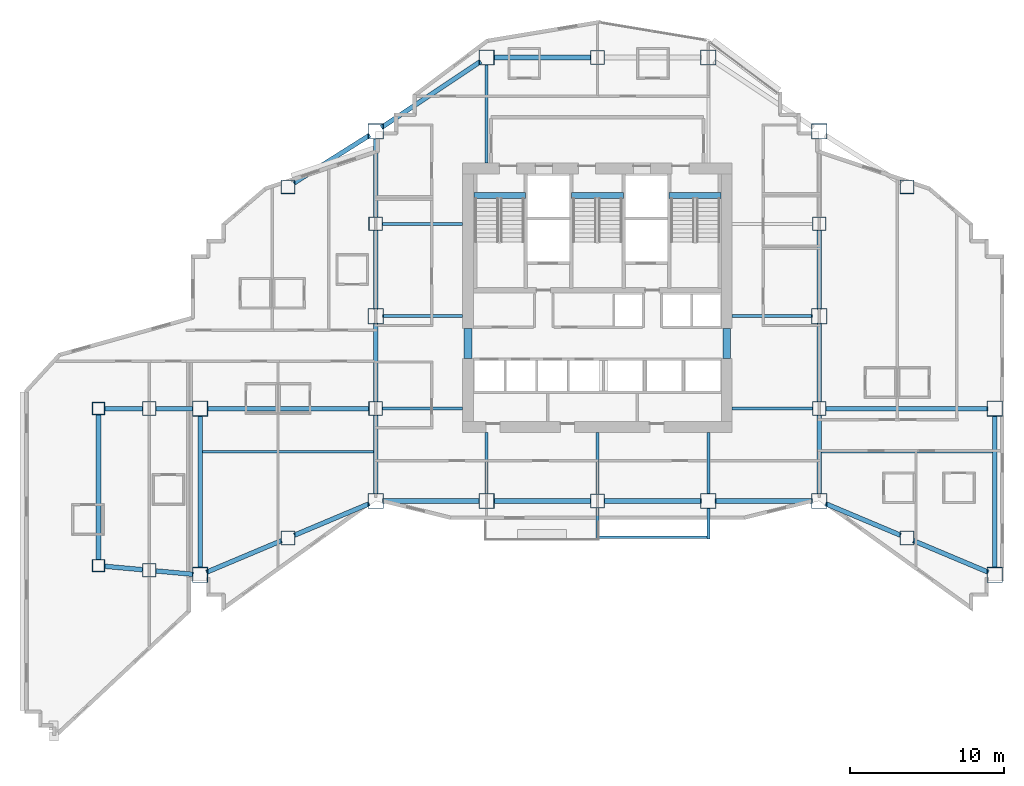
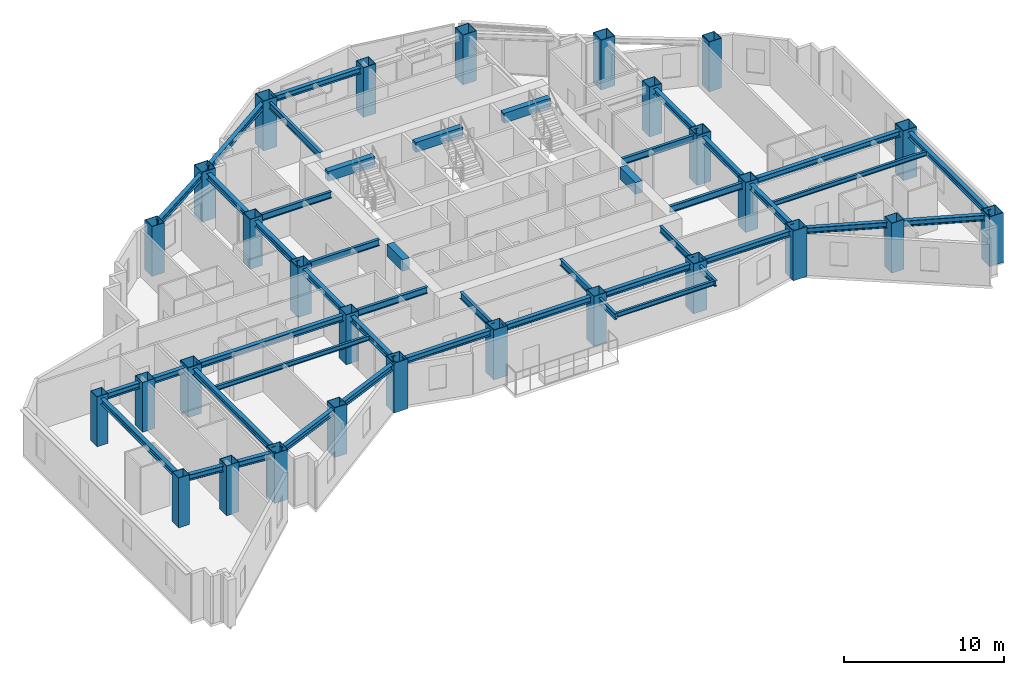
# One storey, part 1 of 14: 46 beams, 28 columns.
"""IFC4 building model written with IfcOpenShell, lengths in metres."""

from ifc_helpers import new_model, si_unit, direction, frame, origin, origin_2d, place, context, subcontext, project, spatial, rectangle, hollow_rectangle, i_section, extrude, material, material_profile, profile_set, type_object, element, save


model = new_model("IFC4")

# Units and contexts
model_context = context("Model", 3, precision=1e-05, world=origin(), true_north=direction((0.0, 1.0)))
body_context = subcontext(model_context, "Body", "Model", "MODEL_VIEW")
ifc_project = project(units=[si_unit("LENGTHUNIT", "METRE"), si_unit("AREAUNIT", "SQUARE_METRE"), si_unit("VOLUMEUNIT", "CUBIC_METRE"), si_unit("PLANEANGLEUNIT", "RADIAN"), si_unit("MASSUNIT", "GRAM", prefix="KILO")], contexts=[model_context])

# Site, building, storey
site_placement = place(None, origin())
site = spatial("IfcSite", under=ifc_project, at=site_placement, CompositionType="ELEMENT")
building_placement = place(site_placement, origin())
building = spatial("IfcBuilding", under=site, at=building_placement, Name="Haolan Belvedere Tower", CompositionType="ELEMENT")
storey_placement = place(building_placement, frame((0.0, 0.0, 148.60009765625)))
storey = spatial("IfcBuildingStorey", under=building, at=storey_placement, Name="L37", CompositionType="ELEMENT", Elevation=148.60009765625)

# Columns
ifc_material_1 = material(Name="Steel Q420GJC", Category="steel")
ifc_material_profile_1 = material_profile(ifc_material_1, hollow_rectangle(XDim=1.0, YDim=1.0, WallThickness=0.0380859375, at=origin_2d()), Name="Steel Q420GJC")
ifc_profile_set_1 = profile_set([ifc_material_profile_1], Name="Steel Q420GJC")
column_type_1 = type_object("IfcColumnType", Name="COL-BOX1000x1000x38", PredefinedType="COLUMN", material=ifc_profile_set_1)
for number, where, z_axis, x_axis, name in (
    (1, (24.0, 21.60009765625, 0.0), (0.0, 0.0, 1.0), (1.0, 0.0, 0.0), "L37 column MC-T3-SW (BOX1000x1000x38)"),
    (2, (24.0, 33.60009765625, 0.0), (0.0, 0.0, 1.0), (1.0, 0.0, 0.0), "L37 column MC-T3-MW (BOX1000x1000x38)"),
    (3, (24.0, 45.60009765625, 0.0), (0.0, 0.0, 1.0), (1.0, 0.0, 0.0), "L37 column MC-T3-NW (BOX1000x1000x38)"),
    (4, (52.800048828125, 21.60009765625, 0.0), (0.0, 0.0, 1.0), (1.0, 0.0, 0.0), "L37 column MC-T3-SE (BOX1000x1000x38)"),
    (5, (52.800048828125, 33.60009765625, 0.0), (0.0, 0.0, 1.0), (1.0, 0.0, 0.0), "L37 column MC-T3-ME (BOX1000x1000x38)"),
    (6, (52.800048828125, 45.60009765625, 0.0), (0.0, 0.0, 1.0), (1.0, 0.0, 0.0), "L37 column MC-T3-NE (BOX1000x1000x38)"),
    (7, (31.199951171875, 21.60009765625, 0.0), (0.0, 0.0, 1.0), (1.0, 0.0, 0.0), "L37 column MC-T3-S1 (BOX1000x1000x38)"),
    (8, (45.60009765625, 21.60009765625, 0.0), (0.0, 0.0, 1.0), (1.0, 0.0, 0.0), "L37 column MC-T3-S2 (BOX1000x1000x38)"),
    (9, (31.199951171875, 50.39990234375, 0.0), (0.0, 0.0, 1.0), (1.0, 0.0, 0.0), "L37 column MC-T3-N1 (BOX1000x1000x38)"),
    (10, (45.60009765625, 50.39990234375, 0.0), (0.0, 0.0, 1.0), (1.0, 0.0, 0.0), "L37 column MC-T3-N2 (BOX1000x1000x38)"),
    (11, (12.60009765625, 16.800048828125, 0.0), (0.0, 0.0, 1.0), (1.0, 0.0, 0.0), "L37 column MC-T2-SW (BOX1000x1000x38)"),
    (12, (12.60009765625, 27.60009765625, 0.0), (0.0, 0.0, 1.0), (1.0, 0.0, 0.0), "L37 column MC-T2-MW (BOX1000x1000x38)"),
    (13, (64.199951171875, 16.800048828125, 0.0), (0.0, 0.0, 1.0), (1.0, 0.0, 0.0), "L37 column MC-T4-SE (BOX1000x1000x38)"),
    (14, (64.199951171875, 27.60009765625, 0.0), (0.0, 0.0, 1.0), (1.0, 0.0, 0.0), "L37 column MC-T4-ME (BOX1000x1000x38)"),
):
    element("IfcColumn", number, at=place(storey_placement, frame(where, z_axis=z_axis, x_axis=x_axis)), inside=storey, type_object=column_type_1, Name=name, PredefinedType="COLUMN", context=body_context, shape_type="SweptSolid", body=[
        extrude(hollow_rectangle(XDim=1.0, YDim=1.0, WallThickness=0.0380859375, at=origin_2d()), origin(), (0.0, 0.0, 1.0), 3.7998046875),
    ])
ifc_material_2 = material(Name="Steel Q390GJC", Category="steel")
ifc_material_profile_2 = material_profile(ifc_material_2, hollow_rectangle(XDim=0.800048828125, YDim=0.800048828125, WallThickness=0.030029296875, at=origin_2d()), Name="Steel Q390GJC")
ifc_profile_set_2 = profile_set([ifc_material_profile_2], Name="Steel Q390GJC")
column_type_2 = type_object("IfcColumnType", Name="COL-BOX800x800x30", PredefinedType="COLUMN", material=ifc_profile_set_2)
for number, where, z_axis, x_axis, name in (
    (15, (6.0, 17.39990234375, 0.0), (0.0, 0.0, 1.0), (1.0, 0.0, 0.0), "L37 column MC-T1-SW (BOX800x800x30)"),
    (16, (6.0, 27.60009765625, 0.0), (0.0, 0.0, 1.0), (1.0, 0.0, 0.0), "L37 column MC-T1-NW (BOX800x800x30)"),
):
    element("IfcColumn", number, at=place(storey_placement, frame(where, z_axis=z_axis, x_axis=x_axis)), inside=storey, type_object=column_type_2, Name=name, PredefinedType="COLUMN", context=body_context, shape_type="SweptSolid", body=[
        extrude(hollow_rectangle(XDim=0.800048828125, YDim=0.800048828125, WallThickness=0.030029296875, at=origin_2d()), origin(), (0.0, 0.0, 1.0), 3.7998046875),
    ])
ifc_material_profile_3 = material_profile(ifc_material_2, hollow_rectangle(XDim=0.89990234375, YDim=0.89990234375, WallThickness=0.033935546875, at=origin_2d()), Name="Steel Q390GJC")
ifc_profile_set_3 = profile_set([ifc_material_profile_3], Name="Steel Q390GJC")
column_type_3 = type_object("IfcColumnType", Name="COL-BOX900x900x34", PredefinedType="COLUMN", material=ifc_profile_set_3)
for number, where, z_axis, x_axis, name in (
    (17, (24.0, 27.60009765625, 0.0), (0.0, 0.0, 1.0), (1.0, 0.0, 0.0), "L37 column TC-T3-W1 (BOX900x900x34)"),
    (18, (24.0, 39.60009765625, 0.0), (0.0, 0.0, 1.0), (1.0, 0.0, 0.0), "L37 column TC-T3-W2 (BOX900x900x34)"),
    (19, (52.800048828125, 27.60009765625, 0.0), (0.0, 0.0, 1.0), (1.0, 0.0, 0.0), "L37 column TC-T3-E1 (BOX900x900x34)"),
    (20, (52.800048828125, 39.60009765625, 0.0), (0.0, 0.0, 1.0), (1.0, 0.0, 0.0), "L37 column TC-T3-E2 (BOX900x900x34)"),
    (21, (38.39990234375, 21.60009765625, 0.0), (0.0, 0.0, 1.0), (1.0, 0.0, 0.0), "L37 column TC-T3-SM (BOX900x900x34)"),
    (22, (38.39990234375, 50.39990234375, 0.0), (0.0, 0.0, 1.0), (1.0, 0.0, 0.0), "L37 column TC-T3-NM (BOX900x900x34)"),
    (23, (18.300048828125, 19.199951171875, 0.0), (0.0, 0.0, 1.0), (1.0, 0.0, 0.0), "L37 column TC-T2-S1 (BOX900x900x34)"),
    (24, (18.300048828125, 42.0, 0.0), (0.0, 0.0, 1.0), (1.0, 0.0, 0.0), "L37 column TC-T2-N1 (BOX900x900x34)"),
    (25, (58.5, 19.199951171875, 0.0), (0.0, 0.0, 1.0), (1.0, 0.0, 0.0), "L37 column TC-T4-S1 (BOX900x900x34)"),
    (26, (58.5, 42.0, 0.0), (0.0, 0.0, 1.0), (1.0, 0.0, 0.0), "L37 column TC-T4-N1 (BOX900x900x34)"),
    (27, (9.300048828125, 17.10009765625, 0.0), (0.0, 0.0, 1.0), (1.0, 0.0, 0.0), "L37 column TC-T1-M1 (BOX900x900x34)"),
    (28, (9.300048828125, 27.60009765625, 0.0), (0.0, 0.0, 1.0), (1.0, 0.0, 0.0), "L37 column TC-T1-M2 (BOX900x900x34)"),
):
    element("IfcColumn", number, at=place(storey_placement, frame(where, z_axis=z_axis, x_axis=x_axis)), inside=storey, type_object=column_type_3, Name=name, PredefinedType="COLUMN", context=body_context, shape_type="SweptSolid", body=[
        extrude(hollow_rectangle(XDim=0.89990234375, YDim=0.89990234375, WallThickness=0.033935546875, at=origin_2d()), origin(), (0.0, 0.0, 1.0), 3.7998046875),
    ])

# Beams
ifc_material_3 = material(Name="Steel Q355B", Category="steel")
ifc_material_profile_4 = material_profile(ifc_material_3, i_section(OverallWidth=0.300048828125, OverallDepth=0.43994140625, WebThickness=0.010986328125, FlangeThickness=0.01806640625, FilletRadius=0.02392578125, at=origin_2d()), Name="Steel Q355B")
ifc_profile_set_4 = profile_set([ifc_material_profile_4], Name="Steel Q355B")
beam_type_1 = type_object("IfcBeamType", Name="BM-HM440x300x11x18", PredefinedType="SPANDREL", material=ifc_profile_set_4)
for number, where, z_axis, x_axis, name in (
    (29, (24.0, 22.050048828125, 3.3798828125), (0.0, 1.0, 0.0), (-1.0, 0.0, 0.0), "L37 spandrel girder MC-T3-SW-TC-T3-W1"),
    (30, (24.0, 28.050048828125, 3.3798828125), (0.0, 1.0, 0.0), (-1.0, 0.0, 0.0), "L37 spandrel girder TC-T3-W1-MC-T3-MW"),
    (31, (24.0, 34.050048828125, 3.3798828125), (0.0, 1.0, 0.0), (-1.0, 0.0, 0.0), "L37 spandrel girder MC-T3-MW-TC-T3-W2"),
    (32, (24.0, 40.050048828125, 3.3798828125), (0.0, 1.0, 0.0), (-1.0, 0.0, 0.0), "L37 spandrel girder TC-T3-W2-MC-T3-NW"),
    (33, (52.800048828125, 22.050048828125, 3.3798828125), (0.0, 1.0, 0.0), (-1.0, 0.0, 0.0), "L37 spandrel girder MC-T3-SE-TC-T3-E1"),
    (34, (52.800048828125, 28.050048828125, 3.3798828125), (0.0, 1.0, 0.0), (-1.0, 0.0, 0.0), "L37 spandrel girder TC-T3-E1-MC-T3-ME"),
    (35, (52.800048828125, 34.050048828125, 3.3798828125), (0.0, 1.0, 0.0), (-1.0, 0.0, 0.0), "L37 spandrel girder MC-T3-ME-TC-T3-E2"),
):
    element("IfcBeam", number, at=place(storey_placement, frame(where, z_axis=z_axis, x_axis=x_axis)), inside=storey, type_object=beam_type_1, Name=name, PredefinedType="SPANDREL", context=body_context, shape_type="SweptSolid", body=[
        extrude(i_section(OverallWidth=0.300048828125, OverallDepth=0.43994140625, WebThickness=0.010986328125, FlangeThickness=0.01806640625, FilletRadius=0.02392578125, at=origin_2d()), origin(), (0.0, 0.0, 1.0), 5.099853515625),
    ])
for number, where, z_axis, x_axis, name in (
    (36, (24.449951171875, 21.60009765625, 3.3798828125), (1.0, 0.0, 0.0), (0.0, 1.0, 0.0), "L37 spandrel girder MC-T3-SW-MC-T3-S1"),
    (37, (31.64990234375, 21.60009765625, 3.3798828125), (1.0, 0.0, 0.0), (0.0, 1.0, 0.0), "L37 spandrel girder MC-T3-S1-TC-T3-SM"),
):
    element("IfcBeam", number, at=place(storey_placement, frame(where, z_axis=z_axis, x_axis=x_axis)), inside=storey, type_object=beam_type_1, Name=name, PredefinedType="SPANDREL", context=body_context, shape_type="SweptSolid", body=[
        extrude(i_section(OverallWidth=0.300048828125, OverallDepth=0.43994140625, WebThickness=0.010986328125, FlangeThickness=0.01806640625, FilletRadius=0.02392578125, at=origin_2d()), origin(), (0.0, 0.0, 1.0), 6.300048828125),
    ])
beam_1_placement = place(storey_placement, frame((38.85009765625, 21.60009765625, 3.3798828125), z_axis=(1.0, 0.0, 0.0), x_axis=(0.0, 1.0, 0.0)))
element("IfcBeam", 38, at=beam_1_placement, inside=storey, type_object=beam_type_1, Name="L37 spandrel girder TC-T3-SM-MC-T3-S2", PredefinedType="SPANDREL", context=body_context, shape_type="SweptSolid", body=[
    extrude(i_section(OverallWidth=0.300048828125, OverallDepth=0.43994140625, WebThickness=0.010986328125, FlangeThickness=0.01806640625, FilletRadius=0.02392578125, at=origin_2d()), origin(), (0.0, 0.0, 1.0), 6.2998046875),
])
beam_2_placement = place(storey_placement, frame((46.050048828125, 21.60009765625, 3.3798828125), z_axis=(1.0, 0.0, 0.0), x_axis=(0.0, 1.0, 0.0)))
element("IfcBeam", 39, at=beam_2_placement, inside=storey, type_object=beam_type_1, Name="L37 spandrel girder MC-T3-S2-MC-T3-SE", PredefinedType="SPANDREL", context=body_context, shape_type="SweptSolid", body=[
    extrude(i_section(OverallWidth=0.300048828125, OverallDepth=0.43994140625, WebThickness=0.010986328125, FlangeThickness=0.01806640625, FilletRadius=0.02392578125, at=origin_2d()), origin(), (0.0, 0.0, 1.0), 6.300048828125),
])
beam_3_placement = place(storey_placement, frame((24.37451171875, 45.849609375, 3.3798828125), z_axis=(0.832050294338, 0.554700196225, 0.0), x_axis=(-0.554700196225, 0.832050294338, 0.0)))
element("IfcBeam", 40, at=beam_3_placement, inside=storey, type_object=beam_type_1, Name="L37 spandrel girder MC-T3-NW-MC-T3-N1", PredefinedType="SPANDREL", context=body_context, shape_type="SweptSolid", body=[
    extrude(i_section(OverallWidth=0.300048828125, OverallDepth=0.43994140625, WebThickness=0.010986328125, FlangeThickness=0.01806640625, FilletRadius=0.02392578125, at=origin_2d()), origin(), (0.0, 0.0, 1.0), 7.75341796875),
])
beam_4_placement = place(storey_placement, frame((31.64990234375, 50.39990234375, 3.3798828125), z_axis=(1.0, 0.0, 0.0), x_axis=(0.0, 1.0, 0.0)))
element("IfcBeam", 41, at=beam_4_placement, inside=storey, type_object=beam_type_1, Name="L37 spandrel girder MC-T3-N1-TC-T3-NM", PredefinedType="SPANDREL", context=body_context, shape_type="SweptSolid", body=[
    extrude(i_section(OverallWidth=0.300048828125, OverallDepth=0.43994140625, WebThickness=0.010986328125, FlangeThickness=0.01806640625, FilletRadius=0.02392578125, at=origin_2d()), origin(), (0.0, 0.0, 1.0), 6.300048828125),
])
beam_5_placement = place(storey_placement, frame((12.60009765625, 17.25, 3.3798828125), z_axis=(0.0, 1.0, 0.0), x_axis=(-1.0, 0.0, 0.0)))
element("IfcBeam", 42, at=beam_5_placement, inside=storey, type_object=beam_type_1, Name="L37 spandrel girder MC-T2-SW-MC-T2-MW", PredefinedType="SPANDREL", context=body_context, shape_type="SweptSolid", body=[
    extrude(i_section(OverallWidth=0.300048828125, OverallDepth=0.43994140625, WebThickness=0.010986328125, FlangeThickness=0.01806640625, FilletRadius=0.02392578125, at=origin_2d()), origin(), (0.0, 0.0, 1.0), 9.89990234375),
])
beam_6_placement = place(storey_placement, frame((13.0146484375, 16.974609375, 3.3798828125), z_axis=(0.921635375138, 0.388057000058, 0.0), x_axis=(-0.388057000058, 0.921635375138, 0.0)))
element("IfcBeam", 43, at=beam_6_placement, inside=storey, type_object=beam_type_1, Name="L37 spandrel girder MC-T2-SW-TC-T2-S1", PredefinedType="SPANDREL", context=body_context, shape_type="SweptSolid", body=[
    extrude(i_section(OverallWidth=0.300048828125, OverallDepth=0.43994140625, WebThickness=0.010986328125, FlangeThickness=0.01806640625, FilletRadius=0.02392578125, at=origin_2d()), origin(), (0.0, 0.0, 1.0), 5.28466796875),
])
beam_7_placement = place(storey_placement, frame((18.71484375, 19.37451171875, 3.3798828125), z_axis=(0.92162841793, 0.388073523014, 0.0), x_axis=(-0.388073523014, 0.92162841793, 0.0)))
element("IfcBeam", 44, at=beam_7_placement, inside=storey, type_object=beam_type_1, Name="L37 spandrel girder TC-T2-S1-MC-T3-SW", PredefinedType="SPANDREL", context=body_context, shape_type="SweptSolid", body=[
    extrude(i_section(OverallWidth=0.300048828125, OverallDepth=0.43994140625, WebThickness=0.010986328125, FlangeThickness=0.01806640625, FilletRadius=0.02392578125, at=origin_2d()), origin(), (0.0, 0.0, 1.0), 5.284423828125),
])
beam_8_placement = place(storey_placement, frame((18.680419921875, 42.240234375, 3.3798828125), z_axis=(0.845497840649, 0.533978839898, 0.0), x_axis=(-0.533978839898, 0.845497840649, 0.0)))
element("IfcBeam", 45, at=beam_8_placement, inside=storey, type_object=beam_type_1, Name="L37 spandrel girder TC-T2-N1-MC-T3-NW", PredefinedType="SPANDREL", context=body_context, shape_type="SweptSolid", body=[
    extrude(i_section(OverallWidth=0.300048828125, OverallDepth=0.43994140625, WebThickness=0.010986328125, FlangeThickness=0.01806640625, FilletRadius=0.02392578125, at=origin_2d()), origin(), (0.0, 0.0, 1.0), 5.841796875),
])
beam_9_placement = place(storey_placement, frame((13.050048828125, 27.60009765625, 3.3798828125), z_axis=(1.0, 0.0, 0.0), x_axis=(0.0, 1.0, 0.0)))
element("IfcBeam", 46, at=beam_9_placement, inside=storey, type_object=beam_type_1, Name="L37 spandrel girder MC-T2-MW-TC-T3-W1", PredefinedType="SPANDREL", context=body_context, shape_type="SweptSolid", body=[
    extrude(i_section(OverallWidth=0.300048828125, OverallDepth=0.43994140625, WebThickness=0.010986328125, FlangeThickness=0.01806640625, FilletRadius=0.02392578125, at=origin_2d()), origin(), (0.0, 0.0, 1.0), 10.5),
])
beam_10_placement = place(storey_placement, frame((64.199951171875, 17.25, 3.3798828125), z_axis=(0.0, 1.0, 0.0), x_axis=(-1.0, 0.0, 0.0)))
element("IfcBeam", 47, at=beam_10_placement, inside=storey, type_object=beam_type_1, Name="L37 spandrel girder MC-T4-SE-MC-T4-ME", PredefinedType="SPANDREL", context=body_context, shape_type="SweptSolid", body=[
    extrude(i_section(OverallWidth=0.300048828125, OverallDepth=0.43994140625, WebThickness=0.010986328125, FlangeThickness=0.01806640625, FilletRadius=0.02392578125, at=origin_2d()), origin(), (0.0, 0.0, 1.0), 9.89990234375),
])
for number, where, z_axis, x_axis, name in (
    (48, (53.21484375, 21.42529296875, 3.3798828125), (0.92162841793, -0.388073523014, 0.0), (0.388073523014, 0.92162841793, 0.0), "L37 spandrel girder MC-T3-SE-TC-T4-S1"),
    (49, (58.914794921875, 19.025390625, 3.3798828125), (0.92162841793, -0.388073523014, 0.0), (0.388073523014, 0.92162841793, 0.0), "L37 spandrel girder TC-T4-S1-MC-T4-SE"),
):
    element("IfcBeam", number, at=place(storey_placement, frame(where, z_axis=z_axis, x_axis=x_axis)), inside=storey, type_object=beam_type_1, Name=name, PredefinedType="SPANDREL", context=body_context, shape_type="SweptSolid", body=[
        extrude(i_section(OverallWidth=0.300048828125, OverallDepth=0.43994140625, WebThickness=0.010986328125, FlangeThickness=0.01806640625, FilletRadius=0.02392578125, at=origin_2d()), origin(), (0.0, 0.0, 1.0), 5.284423828125),
    ])
beam_11_placement = place(storey_placement, frame((53.25, 27.60009765625, 3.3798828125), z_axis=(1.0, 0.0, 0.0), x_axis=(0.0, 1.0, 0.0)))
element("IfcBeam", 50, at=beam_11_placement, inside=storey, type_object=beam_type_1, Name="L37 spandrel girder TC-T3-E1-MC-T4-ME", PredefinedType="SPANDREL", context=body_context, shape_type="SweptSolid", body=[
    extrude(i_section(OverallWidth=0.300048828125, OverallDepth=0.43994140625, WebThickness=0.010986328125, FlangeThickness=0.01806640625, FilletRadius=0.02392578125, at=origin_2d()), origin(), (0.0, 0.0, 1.0), 10.5),
])
beam_12_placement = place(storey_placement, frame((6.0, 17.800048828125, 3.3798828125), z_axis=(0.0, 1.0, 0.0), x_axis=(-1.0, 0.0, 0.0)))
element("IfcBeam", 51, at=beam_12_placement, inside=storey, type_object=beam_type_1, Name="L37 spandrel girder MC-T1-SW-MC-T1-NW", PredefinedType="SPANDREL", context=body_context, shape_type="SweptSolid", body=[
    extrude(i_section(OverallWidth=0.300048828125, OverallDepth=0.43994140625, WebThickness=0.010986328125, FlangeThickness=0.01806640625, FilletRadius=0.02392578125, at=origin_2d()), origin(), (0.0, 0.0, 1.0), 9.39990234375),
])
beam_13_placement = place(storey_placement, frame((6.3984375, 17.36376953125, 3.3798828125), z_axis=(0.995889143855, -0.090580423672, 0.0), x_axis=(0.090580423672, 0.995889143855, 0.0)))
element("IfcBeam", 52, at=beam_13_placement, inside=storey, type_object=beam_type_1, Name="L37 spandrel girder MC-T1-SW-TC-T1-M1", PredefinedType="SPANDREL", context=body_context, shape_type="SweptSolid", body=[
    extrude(i_section(OverallWidth=0.300048828125, OverallDepth=0.43994140625, WebThickness=0.010986328125, FlangeThickness=0.01806640625, FilletRadius=0.02392578125, at=origin_2d()), origin(), (0.0, 0.0, 1.0), 2.46337890625),
])
beam_14_placement = place(storey_placement, frame((9.748046875, 17.059326171875, 3.3798828125), z_axis=(0.9958940355, -0.090526626221, 0.0), x_axis=(0.090526626221, 0.9958940355, 0.0)))
element("IfcBeam", 53, at=beam_14_placement, inside=storey, type_object=beam_type_1, Name="L37 spandrel girder TC-T1-M1-MC-T2-SW", PredefinedType="SPANDREL", context=body_context, shape_type="SweptSolid", body=[
    extrude(i_section(OverallWidth=0.300048828125, OverallDepth=0.43994140625, WebThickness=0.010986328125, FlangeThickness=0.01806640625, FilletRadius=0.02392578125, at=origin_2d()), origin(), (0.0, 0.0, 1.0), 2.413818359375),
])
beam_15_placement = place(storey_placement, frame((6.39990234375, 27.60009765625, 3.3798828125), z_axis=(1.0, 0.0, 0.0), x_axis=(0.0, 1.0, 0.0)))
element("IfcBeam", 54, at=beam_15_placement, inside=storey, type_object=beam_type_1, Name="L37 spandrel girder MC-T1-NW-TC-T1-M2", PredefinedType="SPANDREL", context=body_context, shape_type="SweptSolid", body=[
    extrude(i_section(OverallWidth=0.300048828125, OverallDepth=0.43994140625, WebThickness=0.010986328125, FlangeThickness=0.01806640625, FilletRadius=0.02392578125, at=origin_2d()), origin(), (0.0, 0.0, 1.0), 2.4501953125),
])
beam_16_placement = place(storey_placement, frame((9.75, 27.60009765625, 3.3798828125), z_axis=(1.0, 0.0, 0.0), x_axis=(0.0, 1.0, 0.0)))
element("IfcBeam", 55, at=beam_16_placement, inside=storey, type_object=beam_type_1, Name="L37 spandrel girder TC-T1-M2-MC-T2-MW", PredefinedType="SPANDREL", context=body_context, shape_type="SweptSolid", body=[
    extrude(i_section(OverallWidth=0.300048828125, OverallDepth=0.43994140625, WebThickness=0.010986328125, FlangeThickness=0.01806640625, FilletRadius=0.02392578125, at=origin_2d()), origin(), (0.0, 0.0, 1.0), 2.39990234375),
])
ifc_material_profile_5 = material_profile(ifc_material_3, i_section(OverallWidth=0.175048828125, OverallDepth=0.35009765625, WebThickness=0.007080078125, FlangeThickness=0.010986328125, FilletRadius=0.012939453125, at=origin_2d()), Name="Steel Q355B")
ifc_profile_set_5 = profile_set([ifc_material_profile_5], Name="Steel Q355B")
beam_type_2 = type_object("IfcBeamType", Name="BM-HN350x175x7x11", PredefinedType="JOIST", material=ifc_profile_set_5)
for number, where, z_axis, x_axis, name in (
    (56, (12.75, 24.800048828125, 3.4248046875), (1.0, 0.0, 0.0), (0.0, 1.0, 0.0), "L37 west wing floor joist 1"),
    (57, (52.949951171875, 24.800048828125, 3.4248046875), (1.0, 0.0, 0.0), (0.0, 1.0, 0.0), "L37 east wing floor joist 1"),
):
    element("IfcBeam", number, at=place(storey_placement, frame(where, z_axis=z_axis, x_axis=x_axis)), inside=storey, type_object=beam_type_2, Name=name, PredefinedType="JOIST", context=body_context, shape_type="SweptSolid", body=[
        extrude(i_section(OverallWidth=0.175048828125, OverallDepth=0.35009765625, WebThickness=0.007080078125, FlangeThickness=0.010986328125, FilletRadius=0.012939453125, at=origin_2d()), origin(), (0.0, 0.0, 1.0), 11.10009765625),
    ])
beam_17_placement = place(storey_placement, frame((38.5, 19.239990234375, 3.39501953125), z_axis=(1.0, 0.0, 0.0), x_axis=(0.0, 1.0, 0.0)))
element("IfcBeam", 58, at=beam_17_placement, inside=storey, type_object=beam_type_2, Name="L38 tree-balcony front trimmer beam 1", PredefinedType="BEAM", context=body_context, shape_type="SweptSolid", body=[
    extrude(i_section(OverallWidth=0.175048828125, OverallDepth=0.35009765625, WebThickness=0.007080078125, FlangeThickness=0.010986328125, FilletRadius=0.012939453125, at=origin_2d()), origin(), (0.0, 0.0, 1.0), 7.0),
])
ifc_material_profile_6 = material_profile(ifc_material_3, i_section(OverallWidth=0.199951171875, OverallDepth=0.449951171875, WebThickness=0.009033203125, FlangeThickness=0.013916015625, FilletRadius=0.01611328125, at=origin_2d()), Name="Steel Q355B")
ifc_profile_set_6 = profile_set([ifc_material_profile_6], Name="Steel Q355B")
beam_type_3 = type_object("IfcBeamType", Name="BM-HN450x200x9x14", PredefinedType="BEAM", material=ifc_profile_set_6)
beam_18_placement = place(storey_placement, frame((38.39990234375, 21.14990234375, 3.344970703125), z_axis=(0.0, -1.0, 0.0), x_axis=(1.0, 0.0, 0.0)))
element("IfcBeam", 59, at=beam_18_placement, inside=storey, type_object=beam_type_3, Name="L38 tree-balcony column cantilever TC-T3-SM", PredefinedType="BEAM", context=body_context, shape_type="SweptSolid", body=[
    extrude(i_section(OverallWidth=0.199951171875, OverallDepth=0.449951171875, WebThickness=0.009033203125, FlangeThickness=0.013916015625, FilletRadius=0.01611328125, at=origin_2d()), origin(), (0.0, 0.0, 1.0), 2.010009765625),
])
beam_19_placement = place(storey_placement, frame((45.60009765625, 21.10009765625, 3.344970703125), z_axis=(0.0, -1.0, 0.0), x_axis=(1.0, 0.0, 0.0)))
element("IfcBeam", 60, at=beam_19_placement, inside=storey, type_object=beam_type_3, Name="L38 tree-balcony column cantilever MC-T3-S2", PredefinedType="BEAM", context=body_context, shape_type="SweptSolid", body=[
    extrude(i_section(OverallWidth=0.199951171875, OverallDepth=0.449951171875, WebThickness=0.009033203125, FlangeThickness=0.013916015625, FilletRadius=0.01611328125, at=origin_2d()), origin(), (0.0, 0.0, 1.0), 1.960205078125),
])
ifc_material_profile_7 = material_profile(ifc_material_3, i_section(OverallWidth=0.199951171875, OverallDepth=0.5, WebThickness=0.010009765625, FlangeThickness=0.01611328125, FilletRadius=0.02001953125, at=origin_2d()), Name="Steel Q355B")
ifc_profile_set_7 = profile_set([ifc_material_profile_7], Name="Steel Q355B")
beam_type_4 = type_object("IfcBeamType", Name="BM-HN500x200x10x16", PredefinedType="BEAM", material=ifc_profile_set_7)
for number, where, z_axis, x_axis, name in (
    (61, (24.449951171875, 33.60009765625, 3.349853515625), (1.0, 0.0, 0.0), (0.0, 1.0, 0.0), "L37 core tie beam from MC-T3-MW"),
    (62, (24.449951171875, 27.60009765625, 3.349853515625), (1.0, 0.0, 0.0), (0.0, 1.0, 0.0), "L37 core tie beam from TC-T3-W1"),
    (63, (24.449951171875, 39.60009765625, 3.349853515625), (1.0, 0.0, 0.0), (0.0, 1.0, 0.0), "L37 core tie beam from TC-T3-W2"),
):
    element("IfcBeam", number, at=place(storey_placement, frame(where, z_axis=z_axis, x_axis=x_axis)), inside=storey, type_object=beam_type_4, Name=name, PredefinedType="BEAM", context=body_context, shape_type="SweptSolid", body=[
        extrude(i_section(OverallWidth=0.199951171875, OverallDepth=0.5, WebThickness=0.010009765625, FlangeThickness=0.01611328125, FilletRadius=0.02001953125, at=origin_2d()), origin(), (0.0, 0.0, 1.0), 5.199951171875),
    ])
for number, where, z_axis, x_axis, name in (
    (64, (52.35009765625, 33.60009765625, 3.349853515625), (-1.0, 0.0, 0.0), (0.0, -1.0, 0.0), "L37 core tie beam from MC-T3-ME"),
    (65, (52.35009765625, 27.60009765625, 3.349853515625), (-1.0, 0.0, 0.0), (0.0, -1.0, 0.0), "L37 core tie beam from TC-T3-E1"),
):
    element("IfcBeam", number, at=place(storey_placement, frame(where, z_axis=z_axis, x_axis=x_axis)), inside=storey, type_object=beam_type_4, Name=name, PredefinedType="BEAM", context=body_context, shape_type="SweptSolid", body=[
        extrude(i_section(OverallWidth=0.199951171875, OverallDepth=0.5, WebThickness=0.010009765625, FlangeThickness=0.01611328125, FilletRadius=0.02001953125, at=origin_2d()), origin(), (0.0, 0.0, 1.0), 5.2001953125),
    ])
for number, where, z_axis, x_axis, name in (
    (66, (31.199951171875, 22.050048828125, 3.349853515625), (0.0, 1.0, 0.0), (-1.0, 0.0, 0.0), "L37 core tie beam from MC-T3-S1"),
    (67, (38.39990234375, 22.050048828125, 3.349853515625), (0.0, 1.0, 0.0), (-1.0, 0.0, 0.0), "L37 core tie beam from TC-T3-SM"),
    (68, (45.60009765625, 22.050048828125, 3.349853515625), (0.0, 1.0, 0.0), (-1.0, 0.0, 0.0), "L37 core tie beam from MC-T3-S2"),
):
    element("IfcBeam", number, at=place(storey_placement, frame(where, z_axis=z_axis, x_axis=x_axis)), inside=storey, type_object=beam_type_4, Name=name, PredefinedType="BEAM", context=body_context, shape_type="SweptSolid", body=[
        extrude(i_section(OverallWidth=0.199951171875, OverallDepth=0.5, WebThickness=0.010009765625, FlangeThickness=0.01611328125, FilletRadius=0.02001953125, at=origin_2d()), origin(), (0.0, 0.0, 1.0), 4.0),
    ])
beam_20_placement = place(storey_placement, frame((31.199951171875, 49.949951171875, 3.349853515625), z_axis=(0.0, -1.0, 0.0), x_axis=(1.0, 0.0, 0.0)))
element("IfcBeam", 69, at=beam_20_placement, inside=storey, type_object=beam_type_4, Name="L37 core tie beam from MC-T3-N1", PredefinedType="BEAM", context=body_context, shape_type="SweptSolid", body=[
    extrude(i_section(OverallWidth=0.199951171875, OverallDepth=0.5, WebThickness=0.010009765625, FlangeThickness=0.01611328125, FilletRadius=0.02001953125, at=origin_2d()), origin(), (0.0, 0.0, 1.0), 6.39990234375),
])
ifc_material_4 = material(Name="Concrete C50/60", Category="concrete")
ifc_material_profile_8 = material_profile(ifc_material_4, rectangle(XDim=0.39990234375, YDim=0.75, at=origin_2d()), Name="Concrete C50/60")
ifc_profile_set_8 = profile_set([ifc_material_profile_8], Name="Concrete C50/60")
beam_type_5 = type_object("IfcBeamType", Name="BM-RC400x750", PredefinedType="T_BEAM", material=ifc_profile_set_8)
beam_21_placement = place(storey_placement, frame((30.3798828125, 41.429931640625, 3.4248046875), z_axis=(1.0, 0.0, 0.0), x_axis=(0.0, 1.0, 0.0)))
element("IfcBeam", 70, at=beam_21_placement, inside=storey, type_object=beam_type_5, Name="L38 stair ST1 RC header trimmer beam", PredefinedType="BEAM", context=body_context, shape_type="SweptSolid", body=[
    extrude(rectangle(XDim=0.39990234375, YDim=0.75, at=origin_2d()), origin(), (0.0, 0.0, 1.0), 3.360107421875),
])
beam_22_placement = place(storey_placement, frame((36.699951171875, 41.429931640625, 3.4248046875), z_axis=(1.0, 0.0, 0.0), x_axis=(0.0, 1.0, 0.0)))
element("IfcBeam", 71, at=beam_22_placement, inside=storey, type_object=beam_type_5, Name="L38 stair ST3 RC header trimmer beam", PredefinedType="BEAM", context=body_context, shape_type="SweptSolid", body=[
    extrude(rectangle(XDim=0.39990234375, YDim=0.75, at=origin_2d()), origin(), (0.0, 0.0, 1.0), 3.400146484375),
])
beam_23_placement = place(storey_placement, frame((43.06005859375, 41.429931640625, 3.4248046875), z_axis=(1.0, 0.0, 0.0), x_axis=(0.0, 1.0, 0.0)))
element("IfcBeam", 72, at=beam_23_placement, inside=storey, type_object=beam_type_5, Name="L38 stair ST2 RC header trimmer beam", PredefinedType="BEAM", context=body_context, shape_type="SweptSolid", body=[
    extrude(rectangle(XDim=0.39990234375, YDim=0.75, at=origin_2d()), origin(), (0.0, 0.0, 1.0), 3.35986328125),
])
ifc_material_5 = material(Name="Concrete C60/75", Category="concrete")
ifc_material_profile_9 = material_profile(ifc_material_5, rectangle(XDim=0.5, YDim=0.89990234375, at=origin_2d()), Name="Concrete C60/75")
ifc_profile_set_9 = profile_set([ifc_material_profile_9], Name="Concrete C60/75")
beam_type_6 = type_object("IfcBeamType", Name="BM-RC500x900", PredefinedType="LINTEL", material=ifc_profile_set_9)
for number, where, z_axis, x_axis, name in (
    (73, (30.0, 30.85009765625, 3.14990234375), (0.0, 1.0, 0.0), (-1.0, 0.0, 0.0), "L37 west core coupling beam CB-01"),
    (74, (46.800048828125, 30.85009765625, 3.14990234375), (0.0, 1.0, 0.0), (-1.0, 0.0, 0.0), "L37 east core coupling beam CB-01"),
):
    element("IfcBeam", number, at=place(storey_placement, frame(where, z_axis=z_axis, x_axis=x_axis)), inside=storey, type_object=beam_type_6, Name=name, PredefinedType="LINTEL", context=body_context, shape_type="SweptSolid", body=[
        extrude(rectangle(XDim=0.5, YDim=0.89990234375, at=origin_2d()), origin(), (0.0, 0.0, 1.0), 1.949951171875),
    ])

save(model, "model.ifc")
